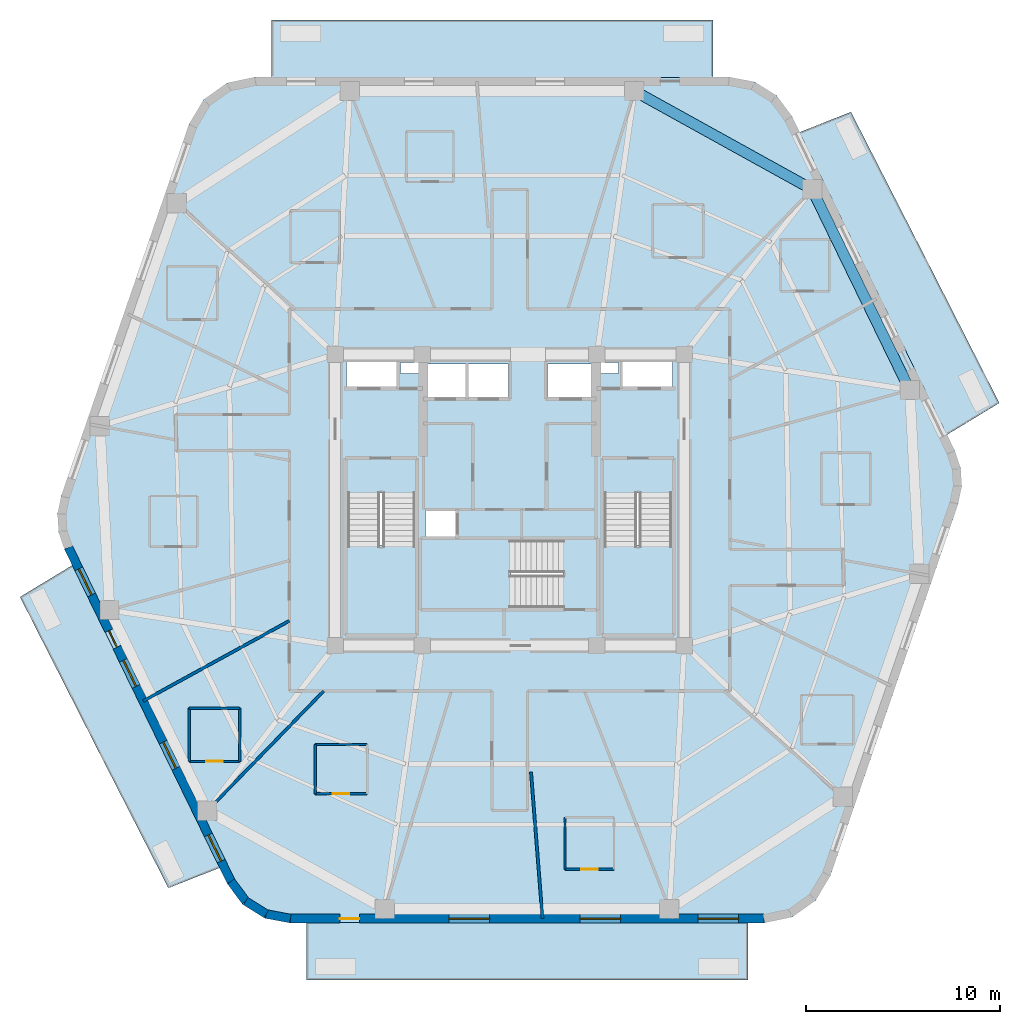
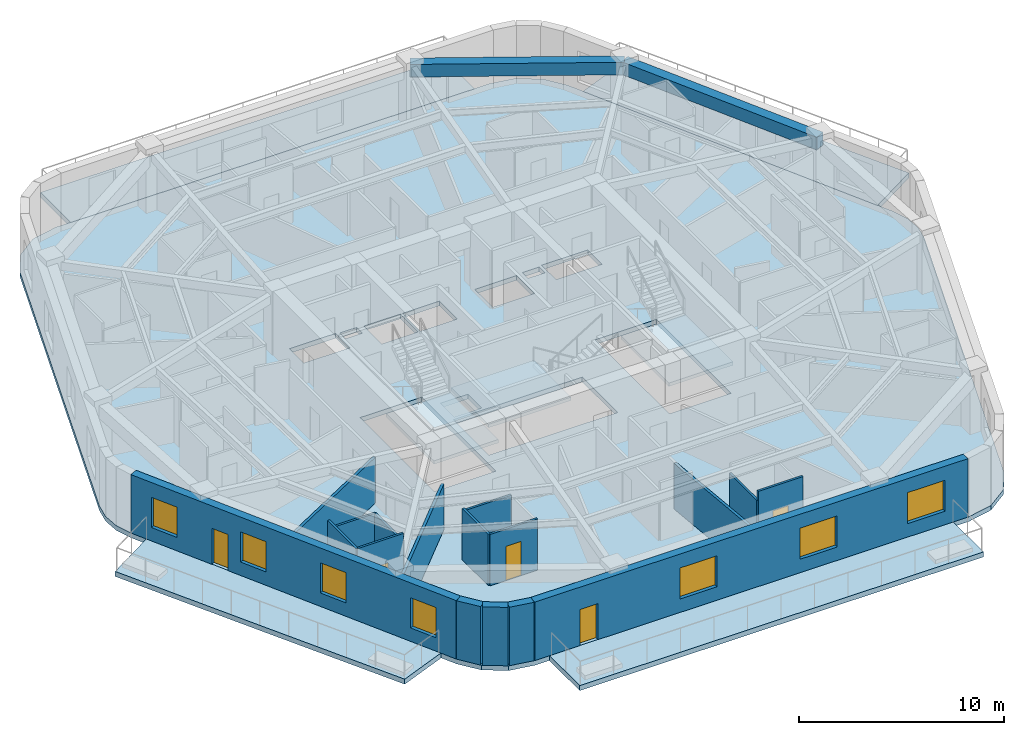
# One storey, part 2 of 10: 17 walls, 8 slabs, 7 windows, 5 doors, 2 beams, 12 openings, 3 elements without a shape of their own.
"""IFC4 building model written with IfcOpenShell, lengths in metres."""

from ifc_helpers import new_model, si_unit, direction, frame, frame_2d, origin, origin_2d, place, context, subcontext, project, spatial, polyline, rectangle, outline, extrude, material, layer, layer_set, material_profile, profile_set, type_object, element, fill, aggregate, save


model = new_model("IFC4")

# Units and contexts
model_context = context("Model", 3, precision=1e-05, world=origin(), true_north=direction((0.0, 1.0)))
body_context = subcontext(model_context, "Body", "Model", "MODEL_VIEW")
ifc_project = project(units=[si_unit("LENGTHUNIT", "METRE"), si_unit("AREAUNIT", "SQUARE_METRE"), si_unit("VOLUMEUNIT", "CUBIC_METRE"), si_unit("PLANEANGLEUNIT", "RADIAN"), si_unit("MASSUNIT", "GRAM", prefix="KILO")], contexts=[model_context])

# Site, building, storey
site_placement = place(None, origin())
site = spatial("IfcSite", under=ifc_project, at=site_placement, CompositionType="ELEMENT")
building_placement = place(site_placement, origin())
building = spatial("IfcBuilding", under=site, at=building_placement, Name="Kilnhurst Terrace Hotel", CompositionType="ELEMENT")
storey_placement = place(building_placement, frame((0.0, 0.0, 252.10009765625)))
storey = spatial("IfcBuildingStorey", under=building, at=storey_placement, Name="L63", CompositionType="ELEMENT", Elevation=252.10009765625)

# Beams
ifc_material_1 = material(Name="Concrete C50/60", Category="concrete")
ifc_material_profile = material_profile(ifc_material_1, rectangle(XDim=0.550048828125, YDim=0.75, at=origin_2d()), Name="RC550X750")
ifc_profile_set = profile_set([ifc_material_profile], Name="Concrete C50/60")
beam_type = type_object("IfcBeamType", Name="BM-SPN-550X750", PredefinedType="SPANDREL", material=ifc_profile_set)
beam_1_placement = place(storey_placement, frame((20.6220703125, 5.669921875, 3.10498046875), z_axis=(-0.437705964683, 0.899118172701, 0.0), x_axis=(-0.899118172701, -0.437705964683, 0.0)))
element("IfcBeam", 1, at=beam_1_placement, inside=storey, type_object=beam_type, Name="L63 Perimeter Spandrel Beam 5", PredefinedType="SPANDREL", context=body_context, shape_type="SweptSolid", body=[
    extrude(rectangle(XDim=0.550048828125, YDim=0.75, at=origin_2d()), origin(), (0.0, 0.0, 1.0), 11.50341796875),
])
beam_2_placement = place(storey_placement, frame((15.5869140625, 16.012939453125, 3.10498046875), z_axis=(-0.874970333121, 0.484176534085, 0.0), x_axis=(-0.484176534085, -0.874970333121, 0.0)))
element("IfcBeam", 2, at=beam_2_placement, inside=storey, type_object=beam_type, Name="L63 Perimeter Spandrel Beam 6", PredefinedType="SPANDREL", context=body_context, shape_type="SweptSolid", body=[
    extrude(rectangle(XDim=0.550048828125, YDim=0.75, at=origin_2d()), origin(), (0.0, 0.0, 1.0), 10.465576171875),
])

# Slabs
ifc_layer_1 = layer(ifc_material_1, 0.300048828125, Name="Concrete C50/60")
ifc_layer_set_1 = layer_set([ifc_layer_1], Name="Concrete C50/60")
slab_type_1 = type_object("IfcSlabType", Name="SLB-BAL-300", PredefinedType="FLOOR", material=ifc_layer_set_1)
slab_1_placement = place(storey_placement, frame((0.0, 0.0, -0.300048828125)))
element("IfcSlab", 3, at=slab_1_placement, inside=storey, type_object=slab_type_1, Name="L63 Cantilevered Planted Terrace Slab BAL-L1A", PredefinedType="FLOOR", context=body_context, shape_type="SweptSolid", body=[
    extrude(outline(polyline([(21.440185546875, 12.465576171875), (25.237548828125, 5.0), (22.527587890625, 3.356201171875), (14.93505859375, 18.95068359375), (17.5888671875, 20.0), (21.440185546875, 12.465576171875)])), origin(), (0.0, 0.0, 1.0), 0.300048828125),
])
slab_2_placement = place(storey_placement, frame((0.0, 0.0, -0.300048828125)))
element("IfcSlab", 4, at=slab_2_placement, inside=storey, type_object=slab_type_1, Name="L63 Cantilevered Planted Terrace Slab BAL-L1B", PredefinedType="FLOOR", context=body_context, shape_type="SweptSolid", body=[
    extrude(outline(polyline([(-12.27490234375, 21.780029296875), (-12.27490234375, 24.739990234375), (10.46875, 24.739990234375), (10.46875, 21.780029296875), (-12.27490234375, 21.780029296875)])), origin(), (0.0, 0.0, 1.0), 0.300048828125),
])
slab_3_placement = place(storey_placement, frame((0.0, 0.0, -0.300048828125)))
element("IfcSlab", 5, at=slab_3_placement, inside=storey, type_object=slab_type_1, Name="L63 Cantilevered Planted Terrace Slab BAL-L2A", PredefinedType="FLOOR", context=body_context, shape_type="SweptSolid", body=[
    extrude(outline(polyline([(-25.237548828125, -5.0), (-22.527587890625, -3.356201171875), (-14.93505859375, -18.95068359375), (-17.5888671875, -20.0), (-21.440185546875, -12.465576171875), (-25.237548828125, -5.0)])), origin(), (0.0, 0.0, 1.0), 0.300048828125),
])
slab_4_placement = place(storey_placement, frame((0.0, 0.0, -0.300048828125)))
element("IfcSlab", 6, at=slab_4_placement, inside=storey, type_object=slab_type_1, Name="L63 Cantilevered Planted Terrace Slab BAL-L2B", PredefinedType="FLOOR", context=body_context, shape_type="SweptSolid", body=[
    extrude(outline(polyline([(12.27490234375, -21.780029296875), (12.27490234375, -24.739990234375), (-10.46875, -24.739990234375), (-10.46875, -21.780029296875), (12.27490234375, -21.780029296875)])), origin(), (0.0, 0.0, 1.0), 0.300048828125),
])
ifc_layer_2 = layer(ifc_material_1, 0.280029296875, Name="Concrete C50/60")
ifc_layer_set_2 = layer_set([ifc_layer_2], Name="Concrete C50/60")
slab_type_2 = type_object("IfcSlabType", Name="SLB-FLR-280", PredefinedType="FLOOR", material=ifc_layer_set_2)
slab_5_placement = place(storey_placement, frame((0.0, 0.0, -0.280029296875)))
element("IfcSlab", 7, at=slab_5_placement, inside=storey, type_object=slab_type_2, Name="L63 Structural Floor Slab", PredefinedType="FLOOR", context=body_context, shape_type="SweptSolid", body=[
    extrude(outline(polyline([(-14.555419921875, -19.77587890625), (-13.759765625, -20.845947265625), (-12.629150390625, -21.552978515625), (-11.318603515625, -21.800048828125), (13.124755859375, -21.800048828125), (14.5703125, -21.4970703125), (15.772705078125, -20.638916015625), (16.529296875, -19.370361328125), (23.1162109375, -0.208740234375), (23.302978515625, 0.710693359375), (23.24560546875, 1.6474609375), (22.948486328125, 2.537353515625), (14.555419921875, 19.77587890625), (13.759765625, 20.845947265625), (12.629150390625, 21.552978515625), (11.318603515625, 21.800048828125), (-13.124755859375, 21.800048828125), (-14.5703125, 21.4970703125), (-15.772705078125, 20.638916015625), (-16.529296875, 19.370361328125), (-23.1162109375, 0.208740234375), (-23.302978515625, -0.710693359375), (-23.24560546875, -1.6474609375), (-22.948486328125, -2.537353515625), (-14.555419921875, -19.77587890625)]), holes=[polyline([(-8.35009765625, 0.35498046875), (-4.8798828125, 0.35498046875), (-4.8798828125, -6.89990234375), (-8.35009765625, -6.89990234375), (-8.35009765625, 0.35498046875)]), polyline([(-2.800048828125, -1.89990234375), (-4.35009765625, -1.89990234375), (-4.35009765625, -0.550048828125), (-2.800048828125, -0.550048828125), (-2.800048828125, -1.89990234375)]), polyline([(-2.25, 5.25), (-4.300048828125, 5.25), (-4.300048828125, 7.0), (-2.25, 7.0), (-2.25, 5.25)]), polyline([(-2.1201171875, 5.25), (-2.1201171875, 7.0), (-0.050048828125, 7.0), (-0.050048828125, 5.25), (-2.1201171875, 5.25)]), polyline([(-8.39990234375, 5.75), (-8.39990234375, 7.14990234375), (-5.800048828125, 7.14990234375), (-5.800048828125, 5.75), (-8.39990234375, 5.75)]), polyline([(-4.659912109375, 6.52001953125), (-5.6201171875, 6.52001953125), (-5.6201171875, 7.080078125), (-4.659912109375, 7.080078125), (-4.659912109375, 6.52001953125)]), polyline([(2.7548828125, -5.550048828125), (-4.5, -5.550048828125), (-4.5, -2.080078125), (2.7548828125, -2.080078125), (2.7548828125, -5.550048828125)]), polyline([(8.35009765625, 0.35498046875), (8.35009765625, -6.89990234375), (4.8798828125, -6.89990234375), (4.8798828125, 0.35498046875), (8.35009765625, 0.35498046875)]), polyline([(4.300048828125, 5.25), (1.949951171875, 5.25), (1.949951171875, 7.0), (4.300048828125, 7.0), (4.300048828125, 5.25)]), polyline([(5.800048828125, 5.75), (5.800048828125, 7.14990234375), (8.39990234375, 7.14990234375), (8.39990234375, 5.75), (5.800048828125, 5.75)]), polyline([(4.659912109375, 6.52001953125), (4.659912109375, 7.080078125), (5.6201171875, 7.080078125), (5.6201171875, 6.52001953125), (4.659912109375, 6.52001953125)])]), origin(), (0.0, 0.0, 1.0), 0.280029296875),
])

# Stair, slab
stair_type = type_object("IfcStairType", Name="STR-CORE-1660", PredefinedType="HALF_TURN_STAIR", material=ifc_material_1)
stair_1_placement = place(storey_placement, origin())
stair_1 = element("IfcStair", 8, at=stair_1_placement, inside=storey, type_object=stair_type, Name="L63 ST-1", PredefinedType="HALF_TURN_STAIR")
ifc_layer_3 = layer(ifc_material_1, 0.199951171875, Name="Concrete C50/60")
ifc_layer_set_3 = layer_set([ifc_layer_3], Name="Concrete C50/60")
slab_type_3 = type_object("IfcSlabType", Name="SLB-ST-LND-200", PredefinedType="LANDING", material=ifc_layer_set_3)
slab_6_placement = place(storey_placement, frame((0.0, 0.0, 1.699951171875)))
slab_6 = element("IfcSlab", 9, at=slab_6_placement, type_object=slab_type_3, Name="ST-1 landing 1", PredefinedType="LANDING", context=body_context, shape_type="SweptSolid", body=[
    extrude(outline(polyline([(-8.429931640625, -2.330078125), (-4.800048828125, -2.330078125), (-4.800048828125, -6.97998046875), (-8.429931640625, -6.97998046875), (-8.429931640625, -2.330078125)])), origin(), (0.0, 0.0, 1.0), 0.199951171875),
])
aggregate(stair_1, [slab_6])

stair_2_placement = place(storey_placement, origin())
stair_2 = element("IfcStair", 10, at=stair_2_placement, inside=storey, type_object=stair_type, Name="L63 ST-2", PredefinedType="HALF_TURN_STAIR")
slab_7_placement = place(storey_placement, frame((0.0, 0.0, 1.699951171875)))
slab_7 = element("IfcSlab", 11, at=slab_7_placement, type_object=slab_type_3, Name="ST-2 landing 1", PredefinedType="LANDING", context=body_context, shape_type="SweptSolid", body=[
    extrude(outline(polyline([(4.800048828125, -2.330078125), (8.429931640625, -2.330078125), (8.429931640625, -6.97998046875), (4.800048828125, -6.97998046875), (4.800048828125, -2.330078125)])), origin(), (0.0, 0.0, 1.0), 0.199951171875),
])
aggregate(stair_2, [slab_7])

stair_3_placement = place(storey_placement, origin())
stair_3 = element("IfcStair", 12, at=stair_3_placement, inside=storey, type_object=stair_type, Name="L63 ST-3", PredefinedType="HALF_TURN_STAIR")
slab_8_placement = place(storey_placement, frame((0.0, 0.0, 1.699951171875)))
slab_8 = element("IfcSlab", 13, at=slab_8_placement, type_object=slab_type_3, Name="ST-3 landing 1", PredefinedType="LANDING", context=body_context, shape_type="SweptSolid", body=[
    extrude(outline(polyline([(0.070068359375, -2.0), (0.070068359375, -5.6298828125), (-4.580078125, -5.6298828125), (-4.580078125, -2.0), (0.070068359375, -2.0)])), origin(), (0.0, 0.0, 1.0), 0.199951171875),
])
aggregate(stair_3, [slab_8])

# Walls
ifc_material_2 = material(Name="Precast concrete C40/50", Category="concrete")
ifc_layer_4 = layer(ifc_material_2, 0.449951171875, Name="Precast concrete C40/50")
ifc_layer_set_4 = layer_set([ifc_layer_4], Name="Precast concrete C40/50")
wall_type_1 = type_object("IfcWallType", Name="WL-BRK-450", PredefinedType="SOLIDWALL", material=ifc_layer_set_4)
wall_1_placement = place(storey_placement, frame((-14.3623046875, -19.658447265625, 0.0), z_axis=(0.0, 0.0, 1.0), x_axis=(0.596642462792, -0.80250717853, 0.0)))
element("IfcWall", 14, at=wall_1_placement, inside=storey, type_object=wall_type_1, Name="L63 Rounded Corner Brick Wall C1.1", PredefinedType="SOLIDWALL", context=body_context, shape_type="SweptSolid", body=[
    extrude(rectangle(XDim=1.27001953125, YDim=0.449951171875, at=frame_2d((0.635009765625, 0.0))), origin(), (0.0, 0.0, 1.0), 3.47998046875),
])
wall_2_placement = place(storey_placement, frame((-13.6044921875, -20.677734375, 0.0), z_axis=(0.0, 0.0, 1.0), x_axis=(0.847910404124, -0.53013955387, 0.0)))
element("IfcWall", 15, at=wall_2_placement, inside=storey, type_object=wall_type_1, Name="L63 Rounded Corner Brick Wall C1.2", PredefinedType="SOLIDWALL", context=body_context, shape_type="SweptSolid", body=[
    extrude(rectangle(XDim=1.24853515625, YDim=0.449951171875, at=frame_2d((0.624267578125, 0.0))), origin(), (0.0, 0.0, 1.0), 3.47998046875),
])
wall_3_placement = place(storey_placement, frame((-12.5458984375, -21.339599609375, 0.0), z_axis=(0.0, 0.0, 1.0), x_axis=(0.982686750835, -0.18527479519, 0.0)))
element("IfcWall", 16, at=wall_3_placement, inside=storey, type_object=wall_type_1, Name="L63 Rounded Corner Brick Wall C1.3", PredefinedType="SOLIDWALL", context=body_context, shape_type="SweptSolid", body=[
    extrude(rectangle(XDim=1.270263671875, YDim=0.449951171875, at=frame_2d((0.63525390625, 0.0))), origin(), (0.0, 0.0, 1.0), 3.47998046875),
])

# Wall, openings, door, windows
wall_4_placement = place(storey_placement, frame((-11.297607421875, -21.574951171875, 0.0), z_axis=(0.0, 0.0, 1.0), x_axis=(1.0, 0.0, 0.0)))
wall_4 = element("IfcWall", 17, at=wall_4_placement, inside=storey, type_object=wall_type_1, Name="L63 Exterior Brick Facade Wall F1", PredefinedType="SOLIDWALL", context=body_context, shape_type="SweptSolid", body=[
    extrude(rectangle(XDim=24.399169921875, YDim=0.449951171875, at=frame_2d((12.19970703125, 0.0))), origin(), (0.0, 0.0, 1.0), 3.47998046875),
])
opening_1_placement = place(wall_4_placement, frame((2.550048828125, 0.0, 0.0)))
opening_1 = element("IfcOpeningElement", 18, at=opening_1_placement, cuts=wall_4, Name="Opening BD-1000", PredefinedType="OPENING", context=body_context, shape_type="SweptSolid", body=[
    extrude(rectangle(XDim=1.0, YDim=2.14990234375, at=frame_2d((0.5, 1.074951171875))), frame((0.0, 0.23486328125, 0.0), z_axis=(0.0, -1.0, 0.0), x_axis=(1.0, 0.0, 0.0)), (0.0, 0.0, 1.0), 0.469970703125),
])
opening_2_placement = place(wall_4_placement, frame((8.1689453125, 0.0, 0.800048828125)))
opening_2 = element("IfcOpeningElement", 19, at=opening_2_placement, cuts=wall_4, Name="Opening W-04", PredefinedType="OPENING", context=body_context, shape_type="SweptSolid", body=[
    extrude(rectangle(XDim=2.10009765625, YDim=1.85009765625, at=frame_2d((1.050048828125, 0.925048828125))), frame((0.0, 0.23486328125, 0.0), z_axis=(0.0, -1.0, 0.0), x_axis=(1.0, 0.0, 0.0)), (0.0, 0.0, 1.0), 0.469970703125),
])
opening_3_placement = place(wall_4_placement, frame((14.922119140625, 0.0, 0.800048828125)))
opening_3 = element("IfcOpeningElement", 20, at=opening_3_placement, cuts=wall_4, Name="Opening W-04", PredefinedType="OPENING", context=body_context, shape_type="SweptSolid", body=[
    extrude(rectangle(XDim=2.10009765625, YDim=1.85009765625, at=frame_2d((1.050048828125, 0.925048828125))), frame((0.0, 0.23486328125, 0.0), z_axis=(0.0, -1.0, 0.0), x_axis=(1.0, 0.0, 0.0)), (0.0, 0.0, 1.0), 0.469970703125),
])
opening_4_placement = place(wall_4_placement, frame((20.99609375, 0.0, 0.800048828125)))
opening_4 = element("IfcOpeningElement", 21, at=opening_4_placement, cuts=wall_4, Name="Opening W-04", PredefinedType="OPENING", context=body_context, shape_type="SweptSolid", body=[
    extrude(rectangle(XDim=2.10009765625, YDim=1.85009765625, at=frame_2d((1.050048828125, 0.925048828125))), frame((0.0, 0.23486328125, 0.0), z_axis=(0.0, -1.0, 0.0), x_axis=(1.0, 0.0, 0.0)), (0.0, 0.0, 1.0), 0.469970703125),
])
ifc_material_3 = material(Name="Thermally Broken Bronze Aluminium Alloy 6063-T6 and Laminated Glass", Category="aluminium")
door_type_1 = type_object("IfcDoorType", Name="DR-EXT-BAL-1000", OperationType="NOTDEFINED", PredefinedType="DOOR", material=ifc_material_3)
door_1_placement = place(opening_1_placement, origin())
door_1 = element("IfcDoor", 22, at=door_1_placement, inside=storey, type_object=door_type_1, Name="L63 Planted Balcony Door BAL-L2B", OperationType="SINGLE_SWING_LEFT", OverallHeight=2.14990234375, OverallWidth=1.0, PredefinedType="DOOR", context=body_context, shape_type="SweptSolid", body=[
    extrude(rectangle(XDim=1.0, YDim=2.14990234375, at=frame_2d((0.5, 1.074951171875))), frame((0.0, 0.02490234375, 0.0), z_axis=(0.0, -1.0, 0.0), x_axis=(1.0, 0.0, 0.0)), (0.0, 0.0, 1.0), 0.050048828125),
])
fill(opening_1, door_1)
ifc_material_4 = material(Name="Thermally Broken Bronze Aluminium Alloy 6063-T6 and Low-E Glass", Category="aluminium")
window_type_1 = type_object("IfcWindowType", Name="WIN-2100X1850", PartitioningType="SINGLE_PANEL", PredefinedType="WINDOW", material=ifc_material_4)
window_1_placement = place(opening_2_placement, origin())
window_1 = element("IfcWindow", 23, at=window_1_placement, inside=storey, type_object=window_type_1, Name="L63 Deep-Set Masonry Window F1.1", OverallHeight=1.85009765625, OverallWidth=2.10009765625, PartitioningType="SINGLE_PANEL", PredefinedType="WINDOW", context=body_context, shape_type="SweptSolid", body=[
    extrude(rectangle(XDim=2.10009765625, YDim=1.85009765625, at=frame_2d((1.050048828125, 0.925048828125))), frame((0.0, 0.030029296875, 0.0), z_axis=(0.0, -1.0, 0.0), x_axis=(1.0, 0.0, 0.0)), (0.0, 0.0, 1.0), 0.06005859375),
])
fill(opening_2, window_1)
window_2_placement = place(opening_3_placement, origin())
window_2 = element("IfcWindow", 24, at=window_2_placement, inside=storey, type_object=window_type_1, Name="L63 Deep-Set Masonry Window F1.2", OverallHeight=1.85009765625, OverallWidth=2.10009765625, PartitioningType="SINGLE_PANEL", PredefinedType="WINDOW", context=body_context, shape_type="SweptSolid", body=[
    extrude(rectangle(XDim=2.10009765625, YDim=1.85009765625, at=frame_2d((1.050048828125, 0.925048828125))), frame((0.0, 0.030029296875, 0.0), z_axis=(0.0, -1.0, 0.0), x_axis=(1.0, 0.0, 0.0)), (0.0, 0.0, 1.0), 0.06005859375),
])
fill(opening_3, window_2)
window_3_placement = place(opening_4_placement, origin())
window_3 = element("IfcWindow", 25, at=window_3_placement, inside=storey, type_object=window_type_1, Name="L63 Deep-Set Masonry Window F1.3", OverallHeight=1.85009765625, OverallWidth=2.10009765625, PartitioningType="SINGLE_PANEL", PredefinedType="WINDOW", context=body_context, shape_type="SweptSolid", body=[
    extrude(rectangle(XDim=2.10009765625, YDim=1.85009765625, at=frame_2d((1.050048828125, 0.925048828125))), frame((0.0, 0.030029296875, 0.0), z_axis=(0.0, -1.0, 0.0), x_axis=(1.0, 0.0, 0.0)), (0.0, 0.0, 1.0), 0.06005859375),
])
fill(opening_4, window_3)

wall_5_placement = place(storey_placement, frame((-22.73974609375, -2.4521484375, 0.0), z_axis=(0.0, 0.0, 1.0), x_axis=(0.437753424814, -0.899095066755, 0.0)))
wall_5 = element("IfcWall", 26, at=wall_5_placement, inside=storey, type_object=wall_type_1, Name="L63 Exterior Brick Facade Wall F6", PredefinedType="SOLIDWALL", context=body_context, shape_type="SweptSolid", body=[
    extrude(rectangle(XDim=19.137451171875, YDim=0.449951171875, at=frame_2d((9.56884765625, 0.0))), origin(), (0.0, 0.0, 1.0), 3.47998046875),
])
opening_5_placement = place(wall_5_placement, frame((4.762939453125, 0.0, 0.0)))
opening_5 = element("IfcOpeningElement", 27, at=opening_5_placement, cuts=wall_5, Name="Opening BD-950", PredefinedType="OPENING", context=body_context, shape_type="SweptSolid", body=[
    extrude(rectangle(XDim=0.949951171875, YDim=2.14990234375, at=frame_2d((0.47509765625, 1.074951171875))), frame((0.0, 0.23486328125, 0.0), z_axis=(0.0, -1.0, 0.0), x_axis=(1.0, 0.0, 0.0)), (0.0, 0.0, 1.0), 0.469970703125),
])
opening_6_placement = place(wall_5_placement, frame((1.216064453125, 0.0, 0.800048828125)))
opening_6 = element("IfcOpeningElement", 28, at=opening_6_placement, cuts=wall_5, Name="Opening W-02", PredefinedType="OPENING", context=body_context, shape_type="SweptSolid", body=[
    extrude(rectangle(XDim=1.5, YDim=1.800048828125, at=frame_2d((0.75, 0.89990234375))), frame((0.0, 0.23486328125, 0.0), z_axis=(0.0, -1.0, 0.0), x_axis=(1.0, 0.0, 0.0)), (0.0, 0.0, 1.0), 0.469970703125),
])
opening_7_placement = place(wall_5_placement, frame((6.4609375, 0.0, 0.800048828125)))
opening_7 = element("IfcOpeningElement", 29, at=opening_7_placement, cuts=wall_5, Name="Opening W-02", PredefinedType="OPENING", context=body_context, shape_type="SweptSolid", body=[
    extrude(rectangle(XDim=1.5, YDim=1.800048828125, at=frame_2d((0.75, 0.89990234375))), frame((0.0, 0.23486328125, 0.0), z_axis=(0.0, -1.0, 0.0), x_axis=(1.0, 0.0, 0.0)), (0.0, 0.0, 1.0), 0.469970703125),
])
opening_8_placement = place(wall_5_placement, frame((11.156005859375, 0.0, 0.800048828125)))
opening_8 = element("IfcOpeningElement", 30, at=opening_8_placement, cuts=wall_5, Name="Opening W-02", PredefinedType="OPENING", context=body_context, shape_type="SweptSolid", body=[
    extrude(rectangle(XDim=1.5, YDim=1.800048828125, at=frame_2d((0.75, 0.89990234375))), frame((0.0, 0.23486328125, 0.0), z_axis=(0.0, -1.0, 0.0), x_axis=(1.0, 0.0, 0.0)), (0.0, 0.0, 1.0), 0.469970703125),
])
opening_9_placement = place(wall_5_placement, frame((16.472900390625, 0.0, 0.800048828125)))
opening_9 = element("IfcOpeningElement", 31, at=opening_9_placement, cuts=wall_5, Name="Opening W-02", PredefinedType="OPENING", context=body_context, shape_type="SweptSolid", body=[
    extrude(rectangle(XDim=1.5, YDim=1.800048828125, at=frame_2d((0.75, 0.89990234375))), frame((0.0, 0.23486328125, 0.0), z_axis=(0.0, -1.0, 0.0), x_axis=(1.0, 0.0, 0.0)), (0.0, 0.0, 1.0), 0.469970703125),
])
door_type_2 = type_object("IfcDoorType", Name="DR-EXT-BAL-950", OperationType="NOTDEFINED", PredefinedType="DOOR", material=ifc_material_3)
door_2_placement = place(opening_5_placement, origin())
door_2 = element("IfcDoor", 32, at=door_2_placement, inside=storey, type_object=door_type_2, Name="L63 Planted Balcony Door BAL-L2A", OperationType="SINGLE_SWING_RIGHT", OverallHeight=2.14990234375, OverallWidth=0.949951171875, PredefinedType="DOOR", context=body_context, shape_type="SweptSolid", body=[
    extrude(rectangle(XDim=0.949951171875, YDim=2.14990234375, at=frame_2d((0.47509765625, 1.074951171875))), frame((0.0, 0.02490234375, 0.0), z_axis=(0.0, -1.0, 0.0), x_axis=(1.0, 0.0, 0.0)), (0.0, 0.0, 1.0), 0.050048828125),
])
fill(opening_5, door_2)
window_type_2 = type_object("IfcWindowType", Name="WIN-1500X1800", PartitioningType="SINGLE_PANEL", PredefinedType="WINDOW", material=ifc_material_4)
window_4_placement = place(opening_6_placement, origin())
window_4 = element("IfcWindow", 33, at=window_4_placement, inside=storey, type_object=window_type_2, Name="L63 Deep-Set Masonry Window F6.1", OverallHeight=1.800048828125, OverallWidth=1.5, PartitioningType="SINGLE_PANEL", PredefinedType="WINDOW", context=body_context, shape_type="SweptSolid", body=[
    extrude(rectangle(XDim=1.5, YDim=1.800048828125, at=frame_2d((0.75, 0.89990234375))), frame((0.0, 0.030029296875, 0.0), z_axis=(0.0, -1.0, 0.0), x_axis=(1.0, 0.0, 0.0)), (0.0, 0.0, 1.0), 0.06005859375),
])
fill(opening_6, window_4)
window_5_placement = place(opening_7_placement, origin())
window_5 = element("IfcWindow", 34, at=window_5_placement, inside=storey, type_object=window_type_2, Name="L63 Deep-Set Masonry Window F6.2", OverallHeight=1.800048828125, OverallWidth=1.5, PartitioningType="SINGLE_PANEL", PredefinedType="WINDOW", context=body_context, shape_type="SweptSolid", body=[
    extrude(rectangle(XDim=1.5, YDim=1.800048828125, at=frame_2d((0.75, 0.89990234375))), frame((0.0, 0.030029296875, 0.0), z_axis=(0.0, -1.0, 0.0), x_axis=(1.0, 0.0, 0.0)), (0.0, 0.0, 1.0), 0.06005859375),
])
fill(opening_7, window_5)
window_6_placement = place(opening_8_placement, origin())
window_6 = element("IfcWindow", 35, at=window_6_placement, inside=storey, type_object=window_type_2, Name="L63 Deep-Set Masonry Window F6.3", OverallHeight=1.800048828125, OverallWidth=1.5, PartitioningType="SINGLE_PANEL", PredefinedType="WINDOW", context=body_context, shape_type="SweptSolid", body=[
    extrude(rectangle(XDim=1.5, YDim=1.800048828125, at=frame_2d((0.75, 0.89990234375))), frame((0.0, 0.030029296875, 0.0), z_axis=(0.0, -1.0, 0.0), x_axis=(1.0, 0.0, 0.0)), (0.0, 0.0, 1.0), 0.06005859375),
])
fill(opening_8, window_6)
window_7_placement = place(opening_9_placement, origin())
window_7 = element("IfcWindow", 36, at=window_7_placement, inside=storey, type_object=window_type_2, Name="L63 Deep-Set Masonry Window F6.4", OverallHeight=1.800048828125, OverallWidth=1.5, PartitioningType="SINGLE_PANEL", PredefinedType="WINDOW", context=body_context, shape_type="SweptSolid", body=[
    extrude(rectangle(XDim=1.5, YDim=1.800048828125, at=frame_2d((0.75, 0.89990234375))), frame((0.0, 0.030029296875, 0.0), z_axis=(0.0, -1.0, 0.0), x_axis=(1.0, 0.0, 0.0)), (0.0, 0.0, 1.0), 0.06005859375),
])
fill(opening_9, window_7)

# Walls
ifc_material_5 = material(Name="STC-58 Acoustic Twin-Frame Guestroom Demising Partition")
ifc_layer_5 = layer(ifc_material_5, 0.14990234375, Name="STC-58 Acoustic Twin-Frame Guestroom Demising Partition")
ifc_layer_set_5 = layer_set([ifc_layer_5], Name="STC-58 Acoustic Twin-Frame Guestroom Demising Partition")
wall_type_2 = type_object("IfcWallType", Name="WL-DEM-150", PredefinedType="PARTITIONING", material=ifc_layer_set_5)
wall_6_placement = place(storey_placement, frame((-11.35009765625, -6.2265625, 0.0), z_axis=(0.0, 0.0, 1.0), x_axis=(-0.876723190824, -0.480995266786, 0.0)))
element("IfcWall", 37, at=wall_6_placement, inside=storey, type_object=wall_type_2, Name="L63 Interior Wall WL-L63-DEM-MID07-11-1", PredefinedType="PARTITIONING", context=body_context, shape_type="SweptSolid", body=[
    extrude(rectangle(XDim=8.598388671875, YDim=0.14990234375, at=frame_2d((4.29931640625, 0.0))), origin(), (0.0, 0.0, 1.0), 2.719970703125),
])
wall_7_placement = place(storey_placement, frame((-9.587890625, -9.85009765625, 0.0), z_axis=(0.0, 0.0, 1.0), x_axis=(-0.697519469595, -0.716565830567, 0.0)))
element("IfcWall", 38, at=wall_7_placement, inside=storey, type_object=wall_type_2, Name="L63 Interior Wall WL-L63-DEM-COL08-12-1", PredefinedType="PARTITIONING", context=body_context, shape_type="SweptSolid", body=[
    extrude(rectangle(XDim=9.12646484375, YDim=0.14990234375, at=frame_2d((4.563232421875, 0.0))), origin(), (0.0, 0.0, 1.0), 2.719970703125),
])
wall_8_placement = place(storey_placement, frame((1.10009765625, -14.017578125, 0.0), z_axis=(0.0, 0.0, 1.0), x_axis=(0.078228275349, -0.996935472804, 0.0)))
element("IfcWall", 39, at=wall_8_placement, inside=storey, type_object=wall_type_2, Name="L63 Interior Wall WL-L63-DEM-MID09-14-1", PredefinedType="PARTITIONING", context=body_context, shape_type="SweptSolid", body=[
    extrude(rectangle(XDim=7.58056640625, YDim=0.14990234375, at=frame_2d((3.790283203125, 0.0))), origin(), (0.0, 0.0, 1.0), 2.719970703125),
])

# Wall, opening, door
ifc_material_6 = material(Name="120 mm Moisture-Resistant Tile-Backed Bathroom Partition")
ifc_layer_6 = layer(ifc_material_6, 0.1201171875, Name="120 mm Moisture-Resistant Tile-Backed Bathroom Partition")
ifc_layer_set_6 = layer_set([ifc_layer_6], Name="120 mm Moisture-Resistant Tile-Backed Bathroom Partition")
wall_type_3 = type_object("IfcWallType", Name="WL-PART-120", PredefinedType="PARTITIONING", material=ifc_layer_set_6)
wall_9_placement = place(storey_placement, frame((-16.51806640625, -13.47705078125, 0.0), z_axis=(0.0, 0.0, 1.0), x_axis=(1.0, 0.0, 0.0)))
wall_9 = element("IfcWall", 40, at=wall_9_placement, inside=storey, type_object=wall_type_3, Name="L63 Interior Wall WL-L63-BTH-11-1", PredefinedType="PARTITIONING", context=body_context, shape_type="SweptSolid", body=[
    extrude(rectangle(XDim=2.60009765625, YDim=0.1201171875, at=frame_2d((1.300048828125, 0.0))), origin(), (0.0, 0.0, 1.0), 3.47998046875),
])
opening_10_placement = place(wall_9_placement, frame((0.875, 0.0, 0.0)))
opening_10 = element("IfcOpeningElement", 41, at=opening_10_placement, cuts=wall_9, Name="Opening D-08A", PredefinedType="OPENING", context=body_context, shape_type="SweptSolid", body=[
    extrude(rectangle(XDim=0.85009765625, YDim=2.030029296875, at=frame_2d((0.425048828125, 1.01513671875))), frame((0.0, 0.070068359375, 0.0), z_axis=(0.0, -1.0, 0.0), x_axis=(1.0, 0.0, 0.0)), (0.0, 0.0, 1.0), 0.14013671875),
])
ifc_material_7 = material(Name="Moisture-Resistant Lacquered En-suite Bathroom Door")
door_type_3 = type_object("IfcDoorType", Name="DR-INT-850", OperationType="NOTDEFINED", PredefinedType="DOOR", material=ifc_material_7)
door_3_placement = place(opening_10_placement, origin())
door_3 = element("IfcDoor", 42, at=door_3_placement, inside=storey, type_object=door_type_3, Name="L63 En-suite Bathroom Door 11", OperationType="SINGLE_SWING_RIGHT", OverallHeight=2.030029296875, OverallWidth=0.85009765625, PredefinedType="DOOR", context=body_context, shape_type="SweptSolid", body=[
    extrude(rectangle(XDim=0.85009765625, YDim=2.030029296875, at=frame_2d((0.425048828125, 1.01513671875))), frame((0.0, 0.02490234375, 0.0), z_axis=(0.0, -1.0, 0.0), x_axis=(1.0, 0.0, 0.0)), (0.0, 0.0, 1.0), 0.050048828125),
])
fill(opening_10, door_3)

# Walls
wall_10_placement = place(storey_placement, frame((-13.91796875, -13.47705078125, 0.0), z_axis=(0.0, 0.0, 1.0), x_axis=(0.0, 1.0, 0.0)))
element("IfcWall", 43, at=wall_10_placement, inside=storey, type_object=wall_type_3, Name="L63 Interior Wall WL-L63-BTH-11-2", PredefinedType="PARTITIONING", context=body_context, shape_type="SweptSolid", body=[
    extrude(rectangle(XDim=2.75, YDim=0.1201171875, at=frame_2d((1.375, 0.0))), origin(), (0.0, 0.0, 1.0), 3.00634765625),
])
wall_11_placement = place(storey_placement, frame((-13.91796875, -10.72705078125, 0.0), z_axis=(0.0, 0.0, 1.0), x_axis=(-1.0, 0.0, 0.0)))
element("IfcWall", 44, at=wall_11_placement, inside=storey, type_object=wall_type_3, Name="L63 Interior Wall WL-L63-BTH-11-3", PredefinedType="PARTITIONING", context=body_context, shape_type="SweptSolid", body=[
    extrude(rectangle(XDim=2.60009765625, YDim=0.1201171875, at=frame_2d((1.300048828125, 0.0))), origin(), (0.0, 0.0, 1.0), 3.00634765625),
])
wall_12_placement = place(storey_placement, frame((-16.51806640625, -10.72705078125, 0.0), z_axis=(0.0, 0.0, 1.0), x_axis=(0.0, -1.0, 0.0)))
element("IfcWall", 45, at=wall_12_placement, inside=storey, type_object=wall_type_3, Name="L63 Interior Wall WL-L63-BTH-11-4", PredefinedType="PARTITIONING", context=body_context, shape_type="SweptSolid", body=[
    extrude(rectangle(XDim=2.75, YDim=0.1201171875, at=frame_2d((1.375, 0.0))), origin(), (0.0, 0.0, 1.0), 3.47998046875),
])

# Wall, opening, door
wall_13_placement = place(storey_placement, frame((-10.02294921875, -15.14208984375, 0.0), z_axis=(0.0, 0.0, 1.0), x_axis=(1.0, 0.0, 0.0)))
wall_13 = element("IfcWall", 46, at=wall_13_placement, inside=storey, type_object=wall_type_3, Name="L63 Interior Wall WL-L63-BTH-12-1", PredefinedType="PARTITIONING", context=body_context, shape_type="SweptSolid", body=[
    extrude(rectangle(XDim=2.679931640625, YDim=0.1201171875, at=frame_2d((1.33984375, 0.0))), origin(), (0.0, 0.0, 1.0), 3.05224609375),
])
opening_11_placement = place(wall_13_placement, frame((0.9150390625, 0.0, 0.0)))
opening_11 = element("IfcOpeningElement", 47, at=opening_11_placement, cuts=wall_13, Name="Opening D-08A", PredefinedType="OPENING", context=body_context, shape_type="SweptSolid", body=[
    extrude(rectangle(XDim=0.85009765625, YDim=2.030029296875, at=frame_2d((0.425048828125, 1.01513671875))), frame((0.0, 0.070068359375, 0.0), z_axis=(0.0, -1.0, 0.0), x_axis=(1.0, 0.0, 0.0)), (0.0, 0.0, 1.0), 0.14013671875),
])
door_4_placement = place(opening_11_placement, origin())
door_4 = element("IfcDoor", 48, at=door_4_placement, inside=storey, type_object=door_type_3, Name="L63 En-suite Bathroom Door 12", OperationType="SINGLE_SWING_LEFT", OverallHeight=2.030029296875, OverallWidth=0.85009765625, PredefinedType="DOOR", context=body_context, shape_type="SweptSolid", body=[
    extrude(rectangle(XDim=0.85009765625, YDim=2.030029296875, at=frame_2d((0.425048828125, 1.01513671875))), frame((0.0, 0.02490234375, 0.0), z_axis=(0.0, -1.0, 0.0), x_axis=(1.0, 0.0, 0.0)), (0.0, 0.0, 1.0), 0.050048828125),
])
fill(opening_11, door_4)

# Walls
wall_14_placement = place(storey_placement, frame((-7.343017578125, -12.60205078125, 0.0), z_axis=(0.0, 0.0, 1.0), x_axis=(-1.0, 0.0, 0.0)))
element("IfcWall", 49, at=wall_14_placement, inside=storey, type_object=wall_type_3, Name="L63 Interior Wall WL-L63-BTH-12-3", PredefinedType="PARTITIONING", context=body_context, shape_type="SweptSolid", body=[
    extrude(rectangle(XDim=2.679931640625, YDim=0.1201171875, at=frame_2d((1.33984375, 0.0))), origin(), (0.0, 0.0, 1.0), 2.92041015625),
])
wall_15_placement = place(storey_placement, frame((-10.02294921875, -12.60205078125, 0.0), z_axis=(0.0, 0.0, 1.0), x_axis=(0.0, -1.0, 0.0)))
element("IfcWall", 50, at=wall_15_placement, inside=storey, type_object=wall_type_3, Name="L63 Interior Wall WL-L63-BTH-12-4", PredefinedType="PARTITIONING", context=body_context, shape_type="SweptSolid", body=[
    extrude(rectangle(XDim=2.5400390625, YDim=0.1201171875, at=frame_2d((1.27001953125, 0.0))), origin(), (0.0, 0.0, 1.0), 3.05224609375),
])

# Wall, opening, door
wall_16_placement = place(storey_placement, frame((2.85400390625, -19.037109375, 0.0), z_axis=(0.0, 0.0, 1.0), x_axis=(1.0, 0.0, 0.0)))
wall_16 = element("IfcWall", 51, at=wall_16_placement, inside=storey, type_object=wall_type_3, Name="L63 Interior Wall WL-L63-BTH-14-1", PredefinedType="PARTITIONING", context=body_context, shape_type="SweptSolid", body=[
    extrude(rectangle(XDim=2.52001953125, YDim=0.1201171875, at=frame_2d((1.260009765625, 0.0))), origin(), (0.0, 0.0, 1.0), 3.47998046875),
])
opening_12_placement = place(wall_16_placement, frame((0.8349609375, 0.0, 0.0)))
opening_12 = element("IfcOpeningElement", 52, at=opening_12_placement, cuts=wall_16, Name="Opening D-08A", PredefinedType="OPENING", context=body_context, shape_type="SweptSolid", body=[
    extrude(rectangle(XDim=0.85009765625, YDim=2.030029296875, at=frame_2d((0.425048828125, 1.01513671875))), frame((0.0, 0.070068359375, 0.0), z_axis=(0.0, -1.0, 0.0), x_axis=(1.0, 0.0, 0.0)), (0.0, 0.0, 1.0), 0.14013671875),
])
door_5_placement = place(opening_12_placement, origin())
door_5 = element("IfcDoor", 53, at=door_5_placement, inside=storey, type_object=door_type_3, Name="L63 En-suite Bathroom Door 14", OperationType="SINGLE_SWING_LEFT", OverallHeight=2.030029296875, OverallWidth=0.85009765625, PredefinedType="DOOR", context=body_context, shape_type="SweptSolid", body=[
    extrude(rectangle(XDim=0.85009765625, YDim=2.030029296875, at=frame_2d((0.425048828125, 1.01513671875))), frame((0.0, 0.02490234375, 0.0), z_axis=(0.0, -1.0, 0.0), x_axis=(1.0, 0.0, 0.0)), (0.0, 0.0, 1.0), 0.050048828125),
])
fill(opening_12, door_5)

# Wall
wall_17_placement = place(storey_placement, frame((2.85400390625, -16.35693359375, 0.0), z_axis=(0.0, 0.0, 1.0), x_axis=(0.0, -1.0, 0.0)))
element("IfcWall", 54, at=wall_17_placement, inside=storey, type_object=wall_type_3, Name="L63 Interior Wall WL-L63-BTH-14-4", PredefinedType="PARTITIONING", context=body_context, shape_type="SweptSolid", body=[
    extrude(rectangle(XDim=2.68017578125, YDim=0.1201171875, at=frame_2d((1.340087890625, 0.0))), origin(), (0.0, 0.0, 1.0), 2.92041015625),
])

save(model, "model.ifc")
